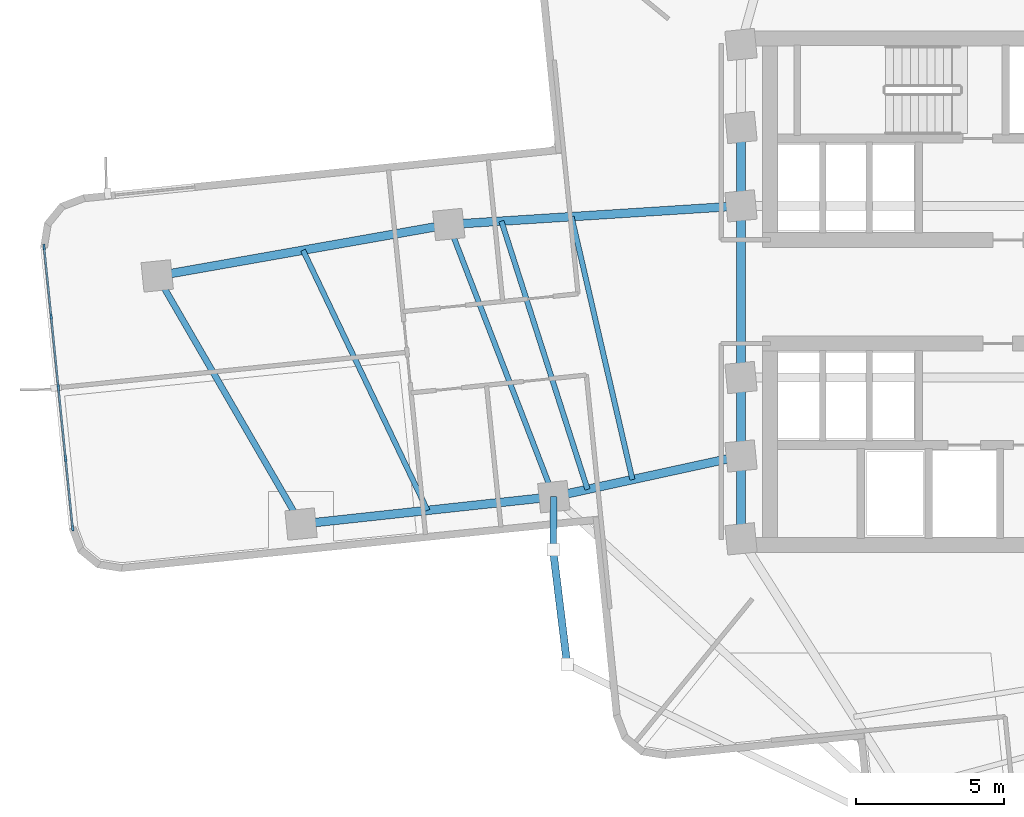
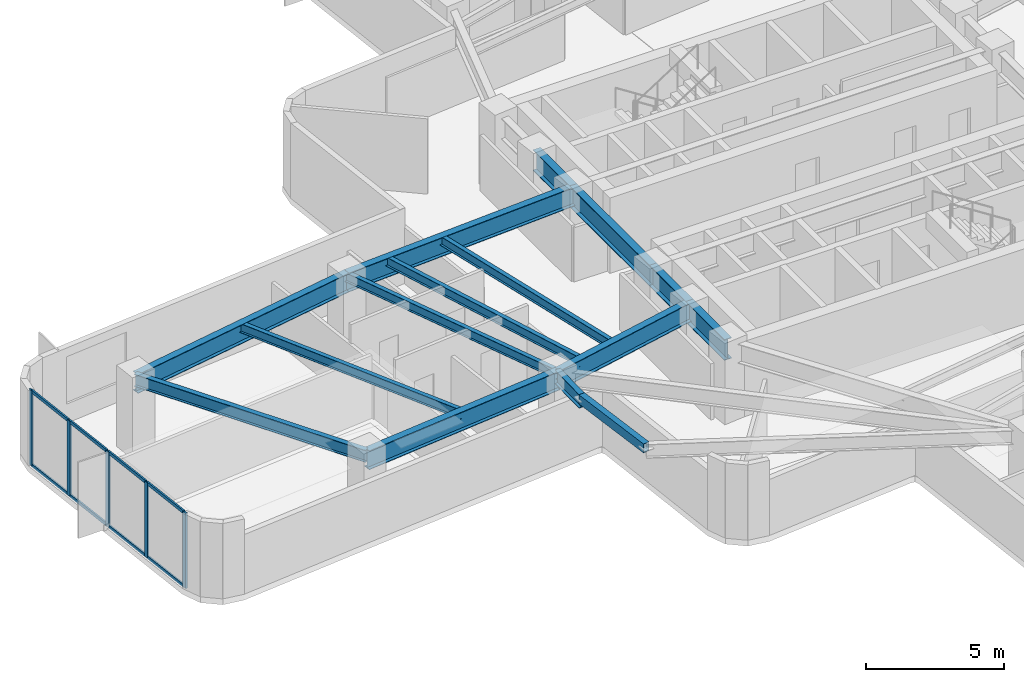
# One storey, part 2 of 12: 15 beams, 13 members, 1 element without a shape of its own.
"""IFC4 building model written with IfcOpenShell, lengths in metres."""

from ifc_helpers import new_model, si_unit, direction, frame, origin, origin_2d, place, context, subcontext, project, spatial, rectangle, hollow_rectangle, i_section, extrude, material, layer, layer_set, material_profile, profile_set, type_object, element, aggregate, save


model = new_model("IFC4")

# Units and contexts
model_context = context("Model", 3, precision=1e-05, world=origin(), true_north=direction((0.0, 1.0)))
body_context = subcontext(model_context, "Body", "Model", "MODEL_VIEW")
ifc_project = project(units=[si_unit("LENGTHUNIT", "METRE"), si_unit("AREAUNIT", "SQUARE_METRE"), si_unit("VOLUMEUNIT", "CUBIC_METRE"), si_unit("PLANEANGLEUNIT", "RADIAN"), si_unit("MASSUNIT", "GRAM", prefix="KILO")], contexts=[model_context])

# Site, building, storey
site_placement = place(None, origin())
site = spatial("IfcSite", under=ifc_project, at=site_placement, CompositionType="ELEMENT")
building_placement = place(site_placement, origin())
building = spatial("IfcBuilding", under=site, at=building_placement, Name="Solmarez Civic Tower", CompositionType="ELEMENT")
storey_placement = place(building_placement, frame((0.0, 0.0, 74.8798828125)))
storey = spatial("IfcBuildingStorey", under=building, at=storey_placement, Name="L19", CompositionType="ELEMENT", Elevation=74.8798828125)

# Beams
ifc_material_1 = material(Name="Steel S355", Category="steel")
ifc_material_profile_1 = material_profile(ifc_material_1, i_section(OverallWidth=0.178955078125, OverallDepth=0.409912109375, WebThickness=0.0087890625, FlangeThickness=0.014404296875, at=origin_2d()), Name="W16X45")
ifc_profile_set_1 = profile_set([ifc_material_profile_1], Name="Steel S355")
beam_type_1 = type_object("IfcBeamType", Name="BM-JS-W16X45", PredefinedType="JOIST", material=ifc_profile_set_1)
beam_1_placement = place(storey_placement, frame((-18.72412109375, 2.27099609375, 3.135009765625), z_axis=(0.359984466214, -0.932958297077, 0.0), x_axis=(0.932958297077, 0.359984466214, 0.0)))
element("IfcBeam", 1, at=beam_1_placement, inside=storey, type_object=beam_type_1, Name="L19 Secondary Floor Joist BM-L19-WA-T1", PredefinedType="JOIST", context=body_context, shape_type="SweptSolid", body=[
    extrude(i_section(OverallWidth=0.178955078125, OverallDepth=0.409912109375, WebThickness=0.0087890625, FlangeThickness=0.014404296875, at=origin_2d()), origin(), (0.0, 0.0, 1.0), 9.85888671875),
])
beam_2_placement = place(storey_placement, frame((-23.64990234375, 1.402099609375, 3.135009765625), z_axis=(0.431491843414, -0.902116837814, 0.0), x_axis=(0.902116837814, 0.431491843414, 0.0)))
element("IfcBeam", 2, at=beam_2_placement, inside=storey, type_object=beam_type_1, Name="L19 Secondary Floor Joist JS-L19-WA-M2", PredefinedType="JOIST", context=body_context, shape_type="SweptSolid", body=[
    extrude(i_section(OverallWidth=0.178955078125, OverallDepth=0.409912109375, WebThickness=0.0087890625, FlangeThickness=0.014404296875, at=origin_2d()), origin(), (0.0, 0.0, 1.0), 9.744873046875),
])
beam_3_placement = place(storey_placement, frame((-14.576904296875, 2.534912109375, 3.135009765625), z_axis=(0.225762717226, -0.974182321494, 0.0), x_axis=(0.974182321494, 0.225762717226, 0.0)))
element("IfcBeam", 3, at=beam_3_placement, inside=storey, type_object=beam_type_1, Name="L19 Secondary Floor Joist JS-L19-WA-M11", PredefinedType="JOIST", context=body_context, shape_type="SweptSolid", body=[
    extrude(i_section(OverallWidth=0.178955078125, OverallDepth=0.409912109375, WebThickness=0.0087890625, FlangeThickness=0.014404296875, at=origin_2d()), origin(), (0.0, 0.0, 1.0), 9.119384765625),
])
beam_4_placement = place(storey_placement, frame((-16.947021484375, 2.384033203125, 3.135009765625), z_axis=(0.305705295997, -0.952126184914, 0.0), x_axis=(0.952126184914, 0.305705295997, 0.0)))
element("IfcBeam", 4, at=beam_4_placement, inside=storey, type_object=beam_type_1, Name="L19 Secondary Floor Joist JS-L19-WA-M12", PredefinedType="JOIST", context=body_context, shape_type="SweptSolid", body=[
    extrude(i_section(OverallWidth=0.178955078125, OverallDepth=0.409912109375, WebThickness=0.0087890625, FlangeThickness=0.014404296875, at=origin_2d()), origin(), (0.0, 0.0, 1.0), 9.518798828125),
])
ifc_material_profile_2 = material_profile(ifc_material_1, i_section(OverallWidth=0.2919921875, OverallDepth=0.845947265625, WebThickness=0.015380859375, FlangeThickness=0.0244140625, at=origin_2d()), Name="W33X141")
ifc_profile_set_2 = profile_set([ifc_material_profile_2], Name="Steel S355")
beam_type_2 = type_object("IfcBeamType", Name="BM-PR-W33X141", PredefinedType="BEAM", material=ifc_profile_set_2)
beam_5_placement = place(storey_placement, frame((-8.85009765625, 2.89990234375, 2.917236328125), z_axis=(-0.997977751208, -0.063564204508, 0.0), x_axis=(0.063564204508, -0.997977751208, 0.0)))
element("IfcBeam", 5, at=beam_5_placement, inside=storey, type_object=beam_type_2, Name="L19 Primary Floor Beam BM-L19-WA-R1A", PredefinedType="BEAM", context=body_context, shape_type="SweptSolid", body=[
    extrude(i_section(OverallWidth=0.2919921875, OverallDepth=0.845947265625, WebThickness=0.015380859375, FlangeThickness=0.0244140625, at=origin_2d()), origin(), (0.0, 0.0, 1.0), 9.89404296875),
])
beam_6_placement = place(storey_placement, frame((-8.85009765625, -5.550048828125, 2.917236328125), z_axis=(-0.977113347202, -0.212719314402, 0.0), x_axis=(0.212719314402, -0.977113347202, 0.0)))
element("IfcBeam", 6, at=beam_6_placement, inside=storey, type_object=beam_type_2, Name="L19 Primary Floor Beam BM-L19-WA-R1B", PredefinedType="BEAM", context=body_context, shape_type="SweptSolid", body=[
    extrude(i_section(OverallWidth=0.2919921875, OverallDepth=0.845947265625, WebThickness=0.015380859375, FlangeThickness=0.0244140625, at=origin_2d()), origin(), (0.0, 0.0, 1.0), 6.47314453125),
])
beam_7_placement = place(storey_placement, frame((-18.72412109375, 2.27099609375, 2.917236328125), z_axis=(-0.984792402105, -0.173735214497, 0.0), x_axis=(0.173735214497, -0.984792402105, 0.0)))
element("IfcBeam", 7, at=beam_7_placement, inside=storey, type_object=beam_type_2, Name="L19 Primary Floor Beam BM-L19-WA-R2A", PredefinedType="BEAM", context=body_context, shape_type="SweptSolid", body=[
    extrude(i_section(OverallWidth=0.2919921875, OverallDepth=0.845947265625, WebThickness=0.015380859375, FlangeThickness=0.0244140625, at=origin_2d()), origin(), (0.0, 0.0, 1.0), 10.00390625),
])
beam_8_placement = place(storey_placement, frame((-15.175048828125, -6.927001953125, 2.917236328125), z_axis=(-0.994196782435, -0.107576753045, 0.0), x_axis=(0.107576753045, -0.994196782435, 0.0)))
element("IfcBeam", 8, at=beam_8_placement, inside=storey, type_object=beam_type_2, Name="L19 Primary Floor Beam BM-L19-WA-R2B", PredefinedType="BEAM", context=body_context, shape_type="SweptSolid", body=[
    extrude(i_section(OverallWidth=0.2919921875, OverallDepth=0.845947265625, WebThickness=0.015380859375, FlangeThickness=0.0244140625, at=origin_2d()), origin(), (0.0, 0.0, 1.0), 8.58984375),
])
ifc_material_profile_3 = material_profile(ifc_material_1, i_section(OverallWidth=0.306884765625, OverallDepth=0.927001953125, WebThickness=0.019287109375, FlangeThickness=0.031982421875, at=origin_2d()), Name="W36X194")
ifc_profile_set_3 = profile_set([ifc_material_profile_3], Name="Steel S355")
beam_type_3 = type_object("IfcBeamType", Name="BM-PR-W36X194", PredefinedType="BEAM", material=ifc_profile_set_3)
beam_9_placement = place(storey_placement, frame((-8.85009765625, -8.35009765625, 2.877197265625), z_axis=(0.0, 1.0, 0.0), x_axis=(-1.0, 0.0, 0.0)))
element("IfcBeam", 9, at=beam_9_placement, inside=storey, type_object=beam_type_3, Name="L19 Primary Floor Beam BM-L19-HC12-HC1", PredefinedType="BEAM", context=body_context, shape_type="SweptSolid", body=[
    extrude(i_section(OverallWidth=0.306884765625, OverallDepth=0.927001953125, WebThickness=0.019287109375, FlangeThickness=0.031982421875, at=origin_2d()), origin(), (0.0, 0.0, 1.0), 2.800048828125),
])
beam_10_placement = place(storey_placement, frame((-8.85009765625, -5.550048828125, 2.877197265625), z_axis=(0.0, 1.0, 0.0), x_axis=(-1.0, 0.0, 0.0)))
element("IfcBeam", 10, at=beam_10_placement, inside=storey, type_object=beam_type_3, Name="L19 Primary Floor Beam BM-L19-HC1-HC2", PredefinedType="BEAM", context=body_context, shape_type="SweptSolid", body=[
    extrude(i_section(OverallWidth=0.306884765625, OverallDepth=0.927001953125, WebThickness=0.019287109375, FlangeThickness=0.031982421875, at=origin_2d()), origin(), (0.0, 0.0, 1.0), 2.650146484375),
])
beam_11_placement = place(storey_placement, frame((-8.85009765625, -2.89990234375, 2.877197265625), z_axis=(0.0, 1.0, 0.0), x_axis=(-1.0, 0.0, 0.0)))
element("IfcBeam", 11, at=beam_11_placement, inside=storey, type_object=beam_type_3, Name="L19 Primary Floor Beam BM-L19-HC2-HC3", PredefinedType="BEAM", context=body_context, shape_type="SweptSolid", body=[
    extrude(i_section(OverallWidth=0.306884765625, OverallDepth=0.927001953125, WebThickness=0.019287109375, FlangeThickness=0.031982421875, at=origin_2d()), origin(), (0.0, 0.0, 1.0), 5.7998046875),
])
beam_12_placement = place(storey_placement, frame((-8.85009765625, 2.89990234375, 2.877197265625), z_axis=(0.0, 1.0, 0.0), x_axis=(-1.0, 0.0, 0.0)))
element("IfcBeam", 12, at=beam_12_placement, inside=storey, type_object=beam_type_3, Name="L19 Primary Floor Beam BM-L19-HC3-HC4", PredefinedType="BEAM", context=body_context, shape_type="SweptSolid", body=[
    extrude(i_section(OverallWidth=0.306884765625, OverallDepth=0.927001953125, WebThickness=0.019287109375, FlangeThickness=0.031982421875, at=origin_2d()), origin(), (0.0, 0.0, 1.0), 2.650146484375),
])
ifc_material_profile_4 = material_profile(ifc_material_1, hollow_rectangle(XDim=0.25, YDim=0.39990234375, WallThickness=0.01611328125, at=origin_2d()), Name="HSS400X250X16")
ifc_profile_set_4 = profile_set([ifc_material_profile_4], Name="Steel S355")
beam_type_4 = type_object("IfcBeamType", Name="BM-SP-HSS400X250", PredefinedType="SPANDREL", material=ifc_profile_set_4)
beam_13_placement = place(storey_placement, frame((-15.200927734375, -8.718017578125, 3.14013671875), z_axis=(0.121791735099, -0.992555677663, 0.0), x_axis=(0.992555677663, 0.121791735099, 0.0)))
element("IfcBeam", 13, at=beam_13_placement, inside=storey, type_object=beam_type_4, Name="L19 Perimeter Spandrel Beam BM-L19-BALC-SWE", PredefinedType="SPANDREL", context=body_context, shape_type="SweptSolid", body=[
    extrude(hollow_rectangle(XDim=0.25, YDim=0.39990234375, WallThickness=0.01611328125, at=origin_2d()), origin(), (0.0, 0.0, 1.0), 3.89892578125),
])
ifc_material_profile_5 = material_profile(ifc_material_1, i_section(OverallWidth=0.2109375, OverallDepth=0.5390625, WebThickness=0.01171875, FlangeThickness=0.018798828125, at=origin_2d()), Name="W21X73")
ifc_profile_set_5 = profile_set([ifc_material_profile_5], Name="Steel S355")
beam_type_5 = type_object("IfcBeamType", Name="BM-SP-W21X73", PredefinedType="SPANDREL", material=ifc_profile_set_5)
beam_14_placement = place(storey_placement, frame((-28.575927734375, 0.532958984375, 3.071044921875), z_axis=(0.501571424933, -0.865116238254, 0.0), x_axis=(0.865116238254, 0.501571424933, 0.0)))
element("IfcBeam", 14, at=beam_14_placement, inside=storey, type_object=beam_type_5, Name="L19 Perimeter Spandrel Beam BM-L19-WA-T2", PredefinedType="SPANDREL", context=body_context, shape_type="SweptSolid", body=[
    extrude(i_section(OverallWidth=0.2109375, OverallDepth=0.5390625, WebThickness=0.01171875, FlangeThickness=0.018798828125, at=origin_2d()), origin(), (0.0, 0.0, 1.0), 9.691162109375),
])
ifc_material_profile_6 = material_profile(ifc_material_1, i_section(OverallWidth=0.22900390625, OverallDepth=0.612060546875, WebThickness=0.011962890625, FlangeThickness=0.01953125, at=origin_2d()), Name="W24X84")
ifc_profile_set_6 = profile_set([ifc_material_profile_6], Name="Steel S355")
beam_type_6 = type_object("IfcBeamType", Name="BM-SP-W24X84", PredefinedType="SPANDREL", material=ifc_profile_set_6)
beam_15_placement = place(storey_placement, frame((-15.175048828125, -6.927001953125, 3.0341796875), z_axis=(-0.014447783027, -0.999895625336, 0.0), x_axis=(0.999895625336, -0.014447783027, 0.0)))
element("IfcBeam", 15, at=beam_15_placement, inside=storey, type_object=beam_type_6, Name="L19 Perimeter Spandrel Beam BM-L19-BALC-SW1", PredefinedType="SPANDREL", context=body_context, shape_type="SweptSolid", body=[
    extrude(i_section(OverallWidth=0.22900390625, OverallDepth=0.612060546875, WebThickness=0.011962890625, FlangeThickness=0.01953125, at=origin_2d()), origin(), (0.0, 0.0, 1.0), 1.791259765625),
])

# Curtain wall, members
ifc_material_2 = material(Name="Bronze Anodised Aluminium EN AW-6063 T6", Category="aluminium")
ifc_layer = layer(ifc_material_2, 0.199951171875)
ifc_layer_set = layer_set([ifc_layer], Name="Bronze Anodised Aluminium EN AW-6063 T6")
curtain_wall_type = type_object("IfcCurtainWallType", Name="CW-SYS-1", PredefinedType="NOTDEFINED", material=ifc_layer_set)
curtain_wall_placement = place(storey_placement, origin())
curtain_wall = element("IfcCurtainWall", 16, at=curtain_wall_placement, inside=storey, type_object=curtain_wall_type, Name="L19 Stick-Built Curtain Wall 1", PredefinedType="NOTDEFINED")
ifc_material_profile_7 = material_profile(ifc_material_2, rectangle(XDim=0.074951171875, YDim=0.199951171875, at=origin_2d()), Name="CWM-75X200")
ifc_profile_set_7 = profile_set([ifc_material_profile_7], Name="Bronze Anodised Aluminium EN AW-6063 T6")
member_type_1 = type_object("IfcMemberType", Name="CWM-TYPE-1", PredefinedType="MULLION", material=ifc_profile_set_7)
member_1_placement = place(storey_placement, frame((-31.432861328125, -7.98974609375, 0.0), z_axis=(0.0, 0.0, 1.0), x_axis=(-0.994871142596, -0.101150430699, 0.0)))
member_1 = element("IfcMember", 17, at=member_1_placement, type_object=member_type_1, Name="CWS1 mullion 1", PredefinedType="MULLION", context=body_context, shape_type="SweptSolid", body=[
    extrude(rectangle(XDim=0.074951171875, YDim=0.199951171875, at=origin_2d()), origin(), (0.0, 0.0, 1.0), 3.340087890625),
])
member_2_placement = place(storey_placement, frame((-31.67236328125, -5.634521484375, 0.0), z_axis=(0.0, 0.0, 1.0), x_axis=(-0.994871142596, -0.101150430699, 0.0)))
member_2 = element("IfcMember", 18, at=member_2_placement, type_object=member_type_1, Name="CWS1 mullion 2", PredefinedType="MULLION", context=body_context, shape_type="SweptSolid", body=[
    extrude(rectangle(XDim=0.074951171875, YDim=0.199951171875, at=origin_2d()), origin(), (0.0, 0.0, 1.0), 3.340087890625),
])
member_3_placement = place(storey_placement, frame((-31.91552734375, -3.241943359375, 0.0), z_axis=(0.0, 0.0, 1.0), x_axis=(-0.994871142596, -0.101150430699, 0.0)))
member_3 = element("IfcMember", 19, at=member_3_placement, type_object=member_type_1, Name="CWS1 mullion 3", PredefinedType="MULLION", context=body_context, shape_type="SweptSolid", body=[
    extrude(rectangle(XDim=0.074951171875, YDim=0.199951171875, at=origin_2d()), origin(), (0.0, 0.0, 1.0), 3.340087890625),
])
member_4_placement = place(storey_placement, frame((-32.15869140625, -0.849609375, 0.0), z_axis=(0.0, 0.0, 1.0), x_axis=(-0.994871142596, -0.101150430699, 0.0)))
member_4 = element("IfcMember", 20, at=member_4_placement, type_object=member_type_1, Name="CWS1 mullion 4", PredefinedType="MULLION", context=body_context, shape_type="SweptSolid", body=[
    extrude(rectangle(XDim=0.074951171875, YDim=0.199951171875, at=origin_2d()), origin(), (0.0, 0.0, 1.0), 3.340087890625),
])
member_5_placement = place(storey_placement, frame((-32.398193359375, 1.505615234375, 0.0), z_axis=(0.0, 0.0, 1.0), x_axis=(-0.994871142596, -0.101150430699, 0.0)))
member_5 = element("IfcMember", 21, at=member_5_placement, type_object=member_type_1, Name="CWS1 mullion 5", PredefinedType="MULLION", context=body_context, shape_type="SweptSolid", body=[
    extrude(rectangle(XDim=0.074951171875, YDim=0.199951171875, at=origin_2d()), origin(), (0.0, 0.0, 1.0), 3.340087890625),
])
ifc_material_profile_8 = material_profile(ifc_material_2, rectangle(XDim=0.070068359375, YDim=0.139892578125, at=origin_2d()), Name="CWT-70X140")
ifc_profile_set_8 = profile_set([ifc_material_profile_8], Name="Bronze Anodised Aluminium EN AW-6063 T6")
member_type_2 = type_object("IfcMemberType", Name="CWT-TYPE-1", PredefinedType="USERDEFINED", material=ifc_profile_set_8)
member_6_placement = place(storey_placement, frame((-31.4365234375, -7.952392578125, 0.03515625), z_axis=(-0.101180248897, 0.994868110471, 0.0), x_axis=(-0.994868110471, -0.101180248897, 0.0)))
member_6 = element("IfcMember", 22, at=member_6_placement, type_object=member_type_2, Name="CWS1 transom 1.1", ObjectType="TRANSOM", PredefinedType="USERDEFINED", context=body_context, shape_type="SweptSolid", body=[
    extrude(rectangle(XDim=0.070068359375, YDim=0.139892578125, at=origin_2d()), origin(), (0.0, 0.0, 1.0), 2.292236328125),
])
member_7_placement = place(storey_placement, frame((-31.4365234375, -7.952392578125, 3.30517578125), z_axis=(-0.101180248897, 0.994868110471, 0.0), x_axis=(-0.994868110471, -0.101180248897, 0.0)))
member_7 = element("IfcMember", 23, at=member_7_placement, type_object=member_type_2, Name="CWS1 transom 1.2", ObjectType="TRANSOM", PredefinedType="USERDEFINED", context=body_context, shape_type="SweptSolid", body=[
    extrude(rectangle(XDim=0.070068359375, YDim=0.139892578125, at=origin_2d()), origin(), (0.0, 0.0, 1.0), 2.292236328125),
])
member_8_placement = place(storey_placement, frame((-31.676025390625, -5.59716796875, 0.03515625), z_axis=(-0.101122122355, 0.994874020352, 0.0), x_axis=(-0.994874020352, -0.101122122355, 0.0)))
member_8 = element("IfcMember", 24, at=member_8_placement, type_object=member_type_2, Name="CWS1 transom 2.1", ObjectType="TRANSOM", PredefinedType="USERDEFINED", context=body_context, shape_type="SweptSolid", body=[
    extrude(rectangle(XDim=0.070068359375, YDim=0.139892578125, at=origin_2d()), origin(), (0.0, 0.0, 1.0), 2.329833984375),
])
member_9_placement = place(storey_placement, frame((-31.676025390625, -5.59716796875, 3.30517578125), z_axis=(-0.101122122355, 0.994874020352, 0.0), x_axis=(-0.994874020352, -0.101122122355, 0.0)))
member_9 = element("IfcMember", 25, at=member_9_placement, type_object=member_type_2, Name="CWS1 transom 2.2", ObjectType="TRANSOM", PredefinedType="USERDEFINED", context=body_context, shape_type="SweptSolid", body=[
    extrude(rectangle(XDim=0.070068359375, YDim=0.139892578125, at=origin_2d()), origin(), (0.0, 0.0, 1.0), 2.329833984375),
])
member_10_placement = place(storey_placement, frame((-31.919189453125, -3.20458984375, 0.03515625), z_axis=(-0.101225838923, 0.994863472811, 0.0), x_axis=(-0.994863472811, -0.101225838923, 0.0)))
member_10 = element("IfcMember", 26, at=member_10_placement, type_object=member_type_2, Name="CWS1 transom 3.1", ObjectType="TRANSOM", PredefinedType="USERDEFINED", context=body_context, shape_type="SweptSolid", body=[
    extrude(rectangle(XDim=0.070068359375, YDim=0.139892578125, at=origin_2d()), origin(), (0.0, 0.0, 1.0), 2.329833984375),
])
member_11_placement = place(storey_placement, frame((-31.919189453125, -3.20458984375, 3.30517578125), z_axis=(-0.101225838923, 0.994863472811, 0.0), x_axis=(-0.994863472811, -0.101225838923, 0.0)))
member_11 = element("IfcMember", 27, at=member_11_placement, type_object=member_type_2, Name="CWS1 transom 3.2", ObjectType="TRANSOM", PredefinedType="USERDEFINED", context=body_context, shape_type="SweptSolid", body=[
    extrude(rectangle(XDim=0.070068359375, YDim=0.139892578125, at=origin_2d()), origin(), (0.0, 0.0, 1.0), 2.329833984375),
])
member_12_placement = place(storey_placement, frame((-32.16259765625, -0.812255859375, 0.03515625), z_axis=(-0.101169529074, 0.994869200642, 0.0), x_axis=(-0.994869200642, -0.101169529074, 0.0)))
member_12 = element("IfcMember", 28, at=member_12_placement, type_object=member_type_2, Name="CWS1 transom 4.1", ObjectType="TRANSOM", PredefinedType="USERDEFINED", context=body_context, shape_type="SweptSolid", body=[
    extrude(rectangle(XDim=0.070068359375, YDim=0.139892578125, at=origin_2d()), origin(), (0.0, 0.0, 1.0), 2.29248046875),
])
member_13_placement = place(storey_placement, frame((-32.16259765625, -0.812255859375, 3.30517578125), z_axis=(-0.101169529074, 0.994869200642, 0.0), x_axis=(-0.994869200642, -0.101169529074, 0.0)))
member_13 = element("IfcMember", 29, at=member_13_placement, type_object=member_type_2, Name="CWS1 transom 4.2", ObjectType="TRANSOM", PredefinedType="USERDEFINED", context=body_context, shape_type="SweptSolid", body=[
    extrude(rectangle(XDim=0.070068359375, YDim=0.139892578125, at=origin_2d()), origin(), (0.0, 0.0, 1.0), 2.29248046875),
])
aggregate(curtain_wall, [member_1, member_2, member_3, member_4, member_5, member_6, member_7, member_8, member_9, member_10, member_11, member_12, member_13])

save(model, "model.ifc")
